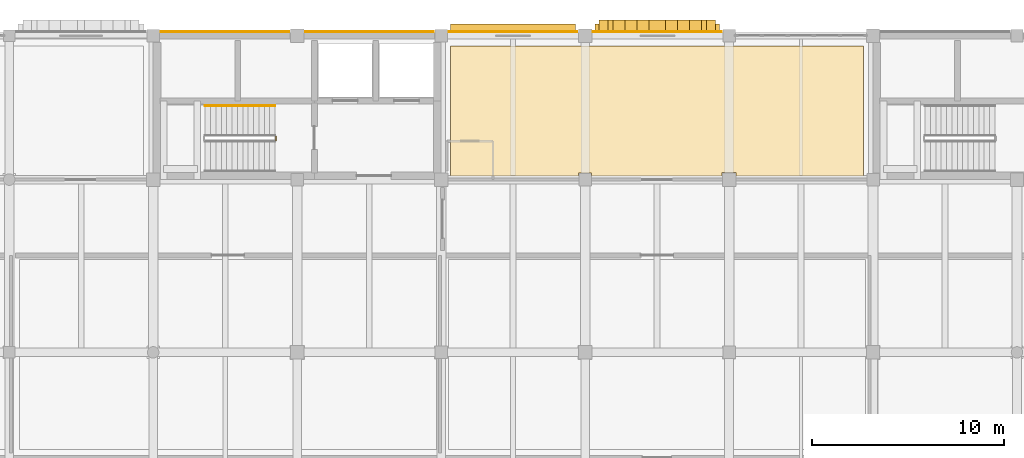
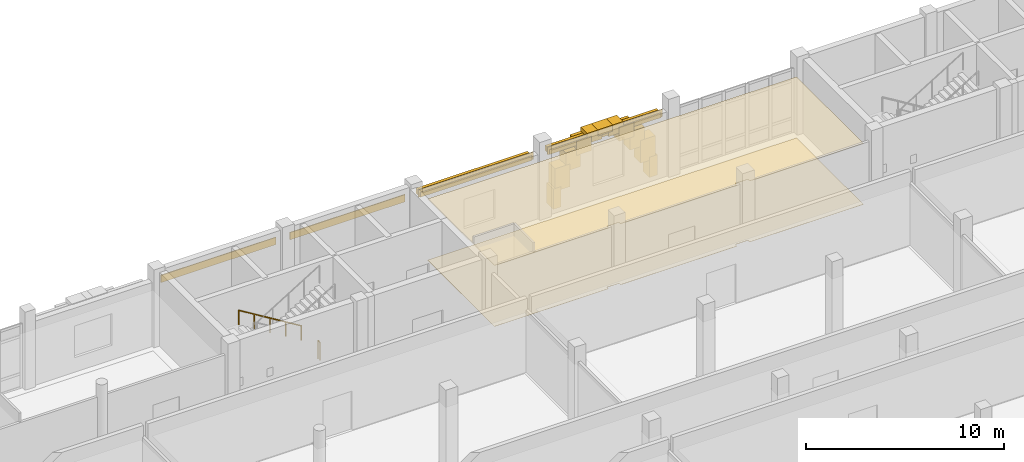
# One storey, part 125 of 131: 17 coverings, 2 railings, 2 shading devices.
"""IFC4 building model written with IfcOpenShell, lengths in metres."""

from ifc_helpers import new_model, si_unit, direction, frame, origin, origin_2d, place, context, subcontext, project, spatial, polyline, rectangle, circle, outline, extrude, material, layer, layer_set, type_object, element, save


model = new_model("IFC4")

# Units and contexts
model_context = context("Model", 3, precision=1e-05, world=origin(), true_north=direction((0.0, 1.0)))
body_context = subcontext(model_context, "Body", "Model", "MODEL_VIEW")
ifc_project = project(units=[si_unit("LENGTHUNIT", "METRE"), si_unit("AREAUNIT", "SQUARE_METRE"), si_unit("VOLUMEUNIT", "CUBIC_METRE"), si_unit("PLANEANGLEUNIT", "RADIAN"), si_unit("MASSUNIT", "GRAM", prefix="KILO")], contexts=[model_context])

# Site, building, storey
site_placement = place(None, origin())
site = spatial("IfcSite", under=ifc_project, at=site_placement, CompositionType="ELEMENT")
building_placement = place(site_placement, origin())
building = spatial("IfcBuilding", under=site, at=building_placement, Name="Dalvernix Boulevard General Hospital", CompositionType="ELEMENT")
storey_placement = place(building_placement, frame((0.0, 0.0, 9.300048828125)))
storey = spatial("IfcBuildingStorey", under=building, at=storey_placement, Name="L02", CompositionType="ELEMENT", Elevation=9.300048828125)

# Coverings
ifc_material_1 = material(Name="Pressed Catalan clay brick and dressed limestone parabolic archivolt", Category="masonry")
ifc_layer_1 = layer(ifc_material_1, 0.419921875)
ifc_layer_set_1 = layer_set([ifc_layer_1], Name="Pressed Catalan clay brick and dressed limestone parabolic archivolt (COV-ARC-01)")
covering_type_1 = type_object("IfcCoveringType", Name="COV-ARC-01", PredefinedType="CLADDING", material=ifc_layer_set_1)
for number, where, z_axis, x_axis, name in (
    (1, (83.46240234375, 117.485107421875, 0.0), (0.0, 0.0, 1.0), (1.0, 0.0, 0.0), "L02 Catalan parabolic arch impost pier N 11-15-L"),
    (2, (89.0625, 117.485107421875, 0.0), (0.0, 0.0, 1.0), (1.0, 0.0, 0.0), "L02 Catalan parabolic arch impost pier N 11-15-R"),
):
    element("IfcCovering", number, at=place(storey_placement, frame(where, z_axis=z_axis, x_axis=x_axis)), inside=storey, type_object=covering_type_1, Name=name, PredefinedType="CLADDING", context=body_context, shape_type="SweptSolid", body=[
        extrude(rectangle(XDim=0.4599609375, YDim=0.659912109375, at=origin_2d()), origin(), (0.0, 0.0, 1.0), 1.25),
    ])
covering_1_placement = place(storey_placement, frame((83.773681640625, 117.485107421875, 1.059814453125), z_axis=(0.0, 0.0, 1.0), x_axis=(1.0, 0.0, 0.0)))
element("IfcCovering", 3, at=covering_1_placement, inside=storey, type_object=covering_type_1, Name="L02 Catalan parabolic archivolt voussoir N 11-15-1", PredefinedType="CLADDING", context=body_context, shape_type="SweptSolid", body=[
    extrude(rectangle(XDim=0.8623046875, YDim=0.659912109375, at=origin_2d()), origin(), (0.0, 0.0, 1.0), 1.3994140625),
])
covering_2_placement = place(storey_placement, frame((84.395751953125, 117.485107421875, 2.0791015625), z_axis=(0.0, 0.0, 1.0), x_axis=(1.0, 0.0, 0.0)))
element("IfcCovering", 4, at=covering_2_placement, inside=storey, type_object=covering_type_1, Name="L02 Catalan parabolic archivolt voussoir N 11-15-2", PredefinedType="CLADDING", context=body_context, shape_type="SweptSolid", body=[
    extrude(rectangle(XDim=0.8623046875, YDim=0.659912109375, at=origin_2d()), origin(), (0.0, 0.0, 1.0), 1.144287109375),
])
covering_3_placement = place(storey_placement, frame((85.01806640625, 117.485107421875, 2.843505859375), z_axis=(0.0, 0.0, 1.0), x_axis=(1.0, 0.0, 0.0)))
element("IfcCovering", 5, at=covering_3_placement, inside=storey, type_object=covering_type_1, Name="L02 Catalan parabolic archivolt voussoir N 11-15-3", PredefinedType="CLADDING", context=body_context, shape_type="SweptSolid", body=[
    extrude(rectangle(XDim=0.8623046875, YDim=0.659912109375, at=origin_2d()), origin(), (0.0, 0.0, 1.0), 0.8896484375),
])
covering_4_placement = place(storey_placement, frame((85.640380859375, 117.485107421875, 3.353271484375), z_axis=(0.0, 0.0, 1.0), x_axis=(1.0, 0.0, 0.0)))
element("IfcCovering", 6, at=covering_4_placement, inside=storey, type_object=covering_type_1, Name="L02 Catalan parabolic archivolt voussoir N 11-15-4", PredefinedType="CLADDING", context=body_context, shape_type="SweptSolid", body=[
    extrude(rectangle(XDim=0.8623046875, YDim=0.659912109375, at=origin_2d()), origin(), (0.0, 0.0, 1.0), 0.634765625),
])
covering_5_placement = place(storey_placement, frame((86.262451171875, 117.485107421875, 3.608154296875), z_axis=(0.0, 0.0, 1.0), x_axis=(1.0, 0.0, 0.0)))
element("IfcCovering", 7, at=covering_5_placement, inside=storey, type_object=covering_type_1, Name="L02 Catalan parabolic archivolt voussoir N 11-15-5", PredefinedType="CLADDING", context=body_context, shape_type="SweptSolid", body=[
    extrude(rectangle(XDim=0.8623046875, YDim=0.659912109375, at=origin_2d()), origin(), (0.0, 0.0, 1.0), 0.3798828125),
])
covering_6_placement = place(storey_placement, frame((86.884765625, 117.485107421875, 3.353271484375), z_axis=(0.0, 0.0, 1.0), x_axis=(1.0, 0.0, 0.0)))
element("IfcCovering", 8, at=covering_6_placement, inside=storey, type_object=covering_type_1, Name="L02 Catalan parabolic archivolt voussoir N 11-15-6", PredefinedType="CLADDING", context=body_context, shape_type="SweptSolid", body=[
    extrude(rectangle(XDim=0.8623046875, YDim=0.659912109375, at=origin_2d()), origin(), (0.0, 0.0, 1.0), 0.634765625),
])
covering_7_placement = place(storey_placement, frame((87.5068359375, 117.485107421875, 2.843505859375), z_axis=(0.0, 0.0, 1.0), x_axis=(1.0, 0.0, 0.0)))
element("IfcCovering", 9, at=covering_7_placement, inside=storey, type_object=covering_type_1, Name="L02 Catalan parabolic archivolt voussoir N 11-15-7", PredefinedType="CLADDING", context=body_context, shape_type="SweptSolid", body=[
    extrude(rectangle(XDim=0.8623046875, YDim=0.659912109375, at=origin_2d()), origin(), (0.0, 0.0, 1.0), 0.8896484375),
])
covering_8_placement = place(storey_placement, frame((88.129150390625, 117.485107421875, 2.0791015625), z_axis=(0.0, 0.0, 1.0), x_axis=(1.0, 0.0, 0.0)))
element("IfcCovering", 10, at=covering_8_placement, inside=storey, type_object=covering_type_1, Name="L02 Catalan parabolic archivolt voussoir N 11-15-8", PredefinedType="CLADDING", context=body_context, shape_type="SweptSolid", body=[
    extrude(rectangle(XDim=0.8623046875, YDim=0.659912109375, at=origin_2d()), origin(), (0.0, 0.0, 1.0), 1.144287109375),
])
covering_9_placement = place(storey_placement, frame((88.75146484375, 117.485107421875, 1.059814453125), z_axis=(0.0, 0.0, 1.0), x_axis=(1.0, 0.0, 0.0)))
element("IfcCovering", 11, at=covering_9_placement, inside=storey, type_object=covering_type_1, Name="L02 Catalan parabolic archivolt voussoir N 11-15-9", PredefinedType="CLADDING", context=body_context, shape_type="SweptSolid", body=[
    extrude(rectangle(XDim=0.8623046875, YDim=0.659912109375, at=origin_2d()), origin(), (0.0, 0.0, 1.0), 1.3994140625),
])
ifc_material_2 = material(Name="Antimicrobial acoustic mineral-fibre suspended ceiling")
ifc_layer_2 = layer(ifc_material_2, 0.02490234375)
ifc_layer_set_2 = layer_set([ifc_layer_2], Name="Antimicrobial acoustic mineral-fibre suspended ceiling (COV-CEIL-01)")
covering_type_2 = type_object("IfcCoveringType", Name="COV-CEIL-01", PredefinedType="CEILING", material=ifc_layer_set_2)
covering_10_placement = place(storey_placement, frame((0.0, 0.0, 3.7548828125)))
element("IfcCovering", 12, at=covering_10_placement, inside=storey, type_object=covering_type_2, Name="L02 Surgical Intensive Care Unit (ICU) Central hygienic suspended ceiling", PredefinedType="CEILING", context=body_context, shape_type="SweptSolid", body=[
    extrude(outline(polyline([(82.844970703125, 109.844970703125), (82.155029296875, 109.844970703125), (82.155029296875, 109.699951171875), (75.5, 109.699951171875), (75.5, 116.449951171875), (97.0, 116.449951171875), (97.0, 109.699951171875), (90.3701171875, 109.699951171875), (90.3701171875, 109.8701171875), (89.6298828125, 109.8701171875), (89.6298828125, 109.699951171875), (82.844970703125, 109.699951171875), (82.844970703125, 109.844970703125)])), origin(), (0.0, 0.0, 1.0), 0.025146484375),
])
ifc_material_3 = material(Name="Polychrome Catalan glazed ceramic spandrel tile panel")
ifc_layer_3 = layer(ifc_material_3, 0.044921875)
ifc_layer_set_3 = layer_set([ifc_layer_3], Name="Polychrome Catalan glazed ceramic spandrel tile panel (COV-CLD-01)")
covering_type_3 = type_object("IfcCoveringType", Name="COV-CLD-01", PredefinedType="CLADDING", material=ifc_layer_set_3)
for number, where, z_axis, x_axis, name in (
    (13, (63.737548828125, 117.195068359375, 3.47509765625), (0.0, 0.0, 1.0), (1.0, 0.0, 0.0), "L02 polychrome ceramic spandrel N 8-15"),
    (14, (71.262451171875, 117.195068359375, 3.47509765625), (0.0, 0.0, 1.0), (1.0, 0.0, 0.0), "L02 polychrome ceramic spandrel N 9-15"),
    (15, (78.737548828125, 117.195068359375, 3.47509765625), (0.0, 0.0, 1.0), (1.0, 0.0, 0.0), "L02 polychrome ceramic spandrel N 10-15"),
    (16, (86.262451171875, 117.195068359375, 3.47509765625), (0.0, 0.0, 1.0), (1.0, 0.0, 0.0), "L02 polychrome ceramic spandrel N 11-15"),
):
    element("IfcCovering", number, at=place(storey_placement, frame(where, z_axis=z_axis, x_axis=x_axis)), inside=storey, type_object=covering_type_3, Name=name, PredefinedType="CLADDING", context=body_context, shape_type="SweptSolid", body=[
        extrude(rectangle(XDim=6.705078125, YDim=0.044921875, at=origin_2d()), origin(), (0.0, 0.0, 1.0), 0.449951171875),
    ])
ifc_material_4 = material(Name="Seamless welded medical vinyl and polished terrazzo flooring")
ifc_layer_4 = layer(ifc_material_4, 0.014892578125)
ifc_layer_set_4 = layer_set([ifc_layer_4], Name="Seamless welded medical vinyl and polished terrazzo flooring (COV-FLR-01)")
covering_type_4 = type_object("IfcCoveringType", Name="COV-FLR-01", PredefinedType="FLOORING", material=ifc_layer_set_4)
covering_11_placement = place(storey_placement, origin())
element("IfcCovering", 17, at=covering_11_placement, inside=storey, type_object=covering_type_4, Name="L02 Surgical Intensive Care Unit (ICU) Central seamless clinical flooring", PredefinedType="FLOORING", context=body_context, shape_type="SweptSolid", body=[
    extrude(outline(polyline([(82.844970703125, 109.844970703125), (82.155029296875, 109.844970703125), (82.155029296875, 109.699951171875), (75.5, 109.699951171875), (75.5, 116.449951171875), (97.0, 116.449951171875), (97.0, 109.699951171875), (90.3701171875, 109.699951171875), (90.3701171875, 109.8701171875), (89.6298828125, 109.8701171875), (89.6298828125, 109.699951171875), (82.844970703125, 109.699951171875), (82.844970703125, 109.844970703125)])), origin(), (0.0, 0.0, 1.0), 0.014892578125),
])

# Railings
ifc_material_5 = material(Name="Brushed stainless steel balustrade", Category="steel")
railing_type_1 = type_object("IfcRailingType", Name="RL-GR-INT1", PredefinedType="BALUSTRADE", material=ifc_material_5)
railing_1_placement = place(storey_placement, frame((66.39990234375, 111.75, 0.0)))
element("IfcRailing", 18, at=railing_1_placement, inside=storey, type_object=railing_type_1, Name="L02 ST-03 stair guard 4", PredefinedType="BALUSTRADE", context=body_context, shape_type="SweptSolid", body=[
    extrude(circle(Radius=0.02392578125, at=origin_2d()), frame((0.0, 0.0, 1.09619140625), z_axis=(0.0, -1.0, 0.0), x_axis=(1.0, 0.0, 0.0)), (0.0, 0.0, 1.0), 0.199951171875),
    extrude(circle(Radius=0.02099609375, at=origin_2d()), origin(), (0.0, 0.0, 1.0), 1.072021484375),
    extrude(circle(Radius=0.02099609375, at=origin_2d()), frame((0.0, -0.199951171875, 0.0)), (0.0, 0.0, 1.0), 1.072021484375),
])
ifc_material_6 = material(Name="Brushed stainless steel wall handrail", Category="steel")
railing_type_2 = type_object("IfcRailingType", Name="RL-HR-INT1", PredefinedType="HANDRAIL", material=ifc_material_6)
railing_2_placement = place(storey_placement, frame((66.35009765625, 113.35009765625, 0.17138671875)))
element("IfcRailing", 19, at=railing_2_placement, inside=storey, type_object=railing_type_2, Name="L02 ST-03 stair handrail 1", PredefinedType="HANDRAIL", context=body_context, shape_type="SweptSolid", body=[
    extrude(circle(Radius=0.02392578125, at=origin_2d()), frame((0.0, 0.0, 0.8759765625), z_axis=(-0.852865859571, 0.0, 0.52213008492), x_axis=(0.0, -1.0, 0.0)), (0.0, 0.0, 1.0), 4.26806640625),
    extrude(circle(Radius=0.02099609375, at=origin_2d()), origin(), (0.0, 0.0, 1.0), 0.851806640625),
    extrude(circle(Radius=0.02099609375, at=origin_2d()), frame((-0.91015625, 0.0, 0.55712890625)), (0.0, 0.0, 1.0), 0.851806640625),
    extrude(circle(Radius=0.02099609375, at=origin_2d()), frame((-1.820068359375, 0.0, 1.1142578125)), (0.0, 0.0, 1.0), 0.851806640625),
    extrude(circle(Radius=0.02099609375, at=origin_2d()), frame((-2.72998046875, 0.0, 1.67138671875)), (0.0, 0.0, 1.0), 0.851806640625),
    extrude(circle(Radius=0.02099609375, at=origin_2d()), frame((-3.64013671875, 0.0, 2.228515625)), (0.0, 0.0, 1.0), 0.851806640625),
])

# Shading devices
ifc_material_7 = material(Name="Extruded aluminium solar jalousie louvre bank", Category="aluminium")
shading_device_type = type_object("IfcShadingDeviceType", Name="SHD-JAL-01", PredefinedType="JALOUSIE", material=ifc_material_7)
for number, where, z_axis, x_axis, name in (
    (20, (78.737548828125, 117.385009765625, 3.44970703125), (0.0, 0.0, 1.0), (1.0, 0.0, 0.0), "L02 solar jalousie louvre N 10-15"),
    (21, (86.262451171875, 117.385009765625, 3.44970703125), (0.0, 0.0, 1.0), (1.0, 0.0, 0.0), "L02 solar jalousie louvre N 11-15"),
):
    element("IfcShadingDevice", number, at=place(storey_placement, frame(where, z_axis=z_axis, x_axis=x_axis)), inside=storey, type_object=shading_device_type, Name=name, PredefinedType="JALOUSIE", context=body_context, shape_type="SweptSolid", body=[
        extrude(rectangle(XDim=6.5048828125, YDim=0.449951171875, at=origin_2d()), origin(), (0.0, 0.0, 1.0), 0.300048828125),
    ])

save(model, "model.ifc")
